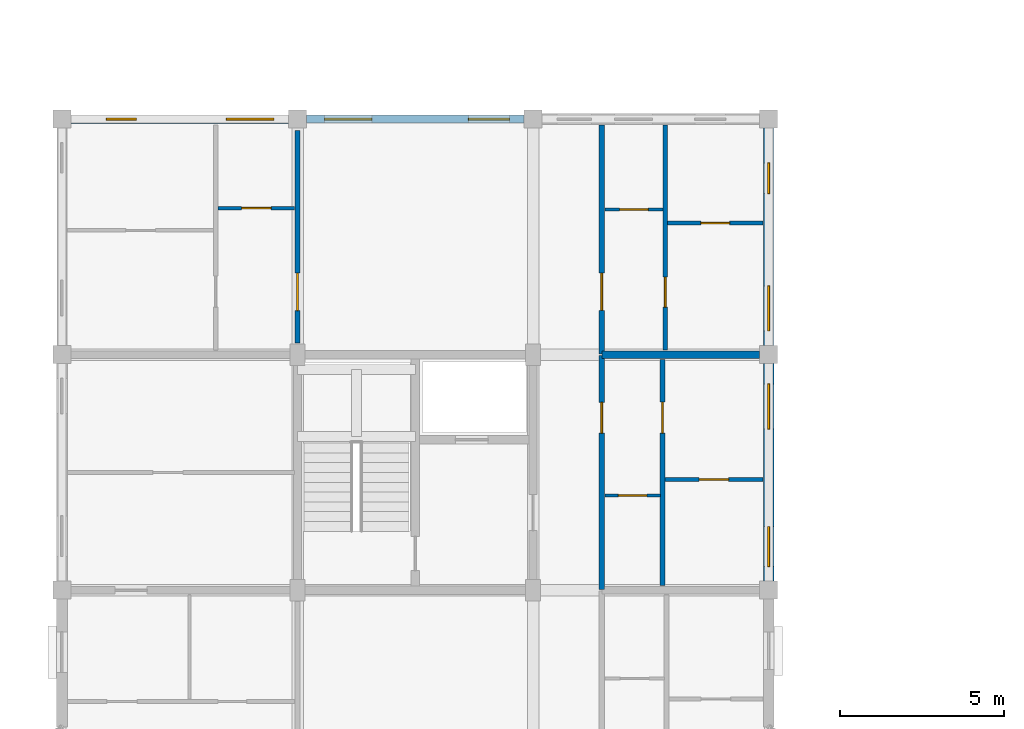
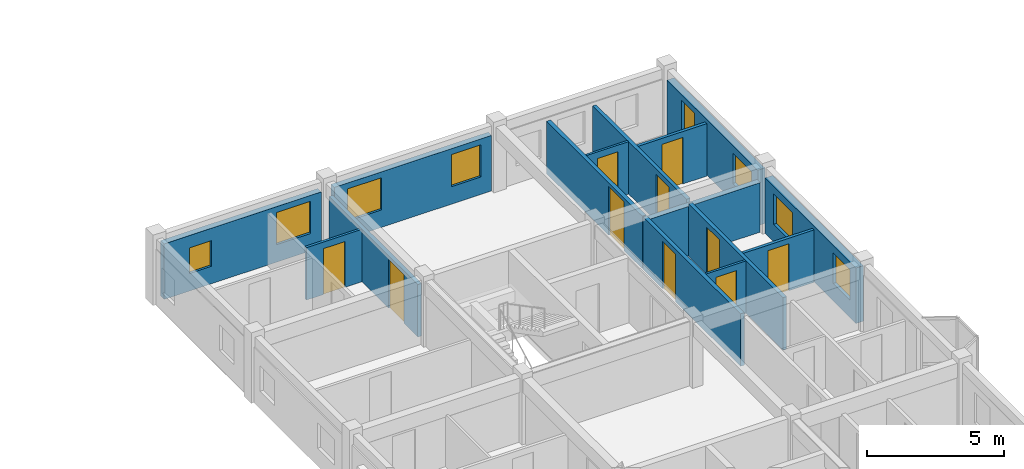
# One storey, part 58 of 77: 15 walls, 10 doors, 8 windows, 18 openings.
"""IFC4 building model written with IfcOpenShell, lengths in metres."""

from ifc_helpers import new_model, si_unit, direction, frame, frame_2d, origin, place, context, subcontext, project, spatial, rectangle, extrude, material, layer, layer_set, type_object, element, fill, save


model = new_model("IFC4")

# Units and contexts
model_context = context("Model", 3, precision=1e-05, world=origin(), true_north=direction((0.0, 1.0)))
body_context = subcontext(model_context, "Body", "Model", "MODEL_VIEW")
ifc_project = project(units=[si_unit("LENGTHUNIT", "METRE"), si_unit("AREAUNIT", "SQUARE_METRE"), si_unit("VOLUMEUNIT", "CUBIC_METRE"), si_unit("PLANEANGLEUNIT", "RADIAN"), si_unit("MASSUNIT", "GRAM", prefix="KILO"), si_unit("THERMODYNAMICTEMPERATUREUNIT", "KELVIN"), si_unit("POWERUNIT", "WATT")], contexts=[model_context])

# Site, building, storey
site_placement = place(None, origin())
site = spatial("IfcSite", under=ifc_project, at=site_placement, CompositionType="ELEMENT")
building_placement = place(site_placement, origin())
building = spatial("IfcBuilding", under=site, at=building_placement, Name="Tavuni Mirador Residences", CompositionType="ELEMENT")
storey_placement = place(building_placement, frame((0.0, 0.0, 17.10009765625)))
storey = spatial("IfcBuildingStorey", under=building, at=storey_placement, Name="L05", CompositionType="ELEMENT", Elevation=17.10009765625)

# Wall, opening, door
ifc_material_1 = material(Name="Precast concrete C40/50", Category="concrete")
ifc_layer_1 = layer(ifc_material_1, 0.1650390625, Name="Precast concrete C40/50", Category="concrete")
ifc_layer_set_1 = layer_set([ifc_layer_1], Name="Precast concrete C40/50")
wall_type_1 = type_object("IfcWallType", Name="WT-CORR165", PredefinedType="PARTITIONING", material=ifc_layer_set_1)
wall_1_placement = place(storey_placement, frame((20.10009765625, 86.419921875, 0.0), z_axis=(0.0, 0.0, 1.0), x_axis=(0.0, 1.0, 0.0)))
wall_1 = element("IfcWall", 1, at=wall_1_placement, inside=storey, type_object=wall_type_1, Name="CORW-BLK-B-L05-0-03", PredefinedType="PARTITIONING", context=body_context, shape_type="SweptSolid", body=[
    extrude(rectangle(XDim=7.16015625, YDim=0.1650390625, at=frame_2d((3.580078125, 0.0))), origin(), (0.0, 0.0, 1.0), 2.344970703125),
])
opening_1_placement = place(wall_1_placement, frame((4.780029296875, 0.0, 0.0)))
opening_1 = element("IfcOpeningElement", 2, at=opening_1_placement, cuts=wall_1, Name="Opening D-19", PredefinedType="OPENING", context=body_context, shape_type="SweptSolid", body=[
    extrude(rectangle(XDim=0.93994140625, YDim=2.1201171875, at=frame_2d((0.469970703125, 1.06005859375))), frame((0.0, 0.092529296875, 0.0), z_axis=(0.0, -1.0, 0.0), x_axis=(1.0, 0.0, 0.0)), (0.0, 0.0, 1.0), 0.18505859375),
])
ifc_material_2 = material(Name="Solid core iroko timber", Category="wood")
door_type_1 = type_object("IfcDoorType", Name="DT-FD60-940", OperationType="NOTDEFINED", PredefinedType="DOOR", material=ifc_material_2)
door_1_placement = place(opening_1_placement, origin())
door_1 = element("IfcDoor", 3, at=door_1_placement, inside=storey, type_object=door_type_1, Name="DR-2572", OperationType="SINGLE_SWING_LEFT", OverallHeight=2.1201171875, OverallWidth=0.93994140625, PredefinedType="DOOR", context=body_context, shape_type="SweptSolid", body=[
    extrude(rectangle(XDim=0.93994140625, YDim=2.1201171875, at=frame_2d((0.469970703125, 1.06005859375))), frame((0.0, 0.02490234375, 0.0), z_axis=(0.0, -1.0, 0.0), x_axis=(1.0, 0.0, 0.0)), (0.0, 0.0, 1.0), 0.050048828125),
])
fill(opening_1, door_1)

wall_2_placement = place(storey_placement, frame((20.10009765625, 93.6201171875, 0.0), z_axis=(0.0, 0.0, 1.0), x_axis=(0.0, 1.0, 0.0)))
wall_2 = element("IfcWall", 4, at=wall_2_placement, inside=storey, type_object=wall_type_1, Name="CORW-BLK-B-L05-0-04", PredefinedType="PARTITIONING", context=body_context, shape_type="SweptSolid", body=[
    extrude(rectangle(XDim=7.0048828125, YDim=0.1650390625, at=frame_2d((3.50244140625, 0.0))), origin(), (0.0, 0.0, 1.0), 2.344970703125),
])
opening_2_placement = place(wall_2_placement, frame((1.330078125, 0.0, 0.0)))
opening_2 = element("IfcOpeningElement", 5, at=opening_2_placement, cuts=wall_2, Name="Opening D-20", PredefinedType="OPENING", context=body_context, shape_type="SweptSolid", body=[
    extrude(rectangle(XDim=1.139892578125, YDim=2.179931640625, at=frame_2d((0.56982421875, 1.08984375))), frame((0.0, 0.092529296875, 0.0), z_axis=(0.0, -1.0, 0.0), x_axis=(1.0, 0.0, 0.0)), (0.0, 0.0, 1.0), 0.18505859375),
])
door_type_2 = type_object("IfcDoorType", Name="DT-FD60-1140", OperationType="NOTDEFINED", PredefinedType="DOOR", material=ifc_material_2)
door_2_placement = place(opening_2_placement, origin())
door_2 = element("IfcDoor", 6, at=door_2_placement, inside=storey, type_object=door_type_2, Name="DR-2573", OperationType="SINGLE_SWING_RIGHT", OverallHeight=2.179931640625, OverallWidth=1.139892578125, PredefinedType="DOOR", context=body_context, shape_type="SweptSolid", body=[
    extrude(rectangle(XDim=1.139892578125, YDim=2.179931640625, at=frame_2d((0.56982421875, 1.08984375))), frame((0.0, 0.02490234375, 0.0), z_axis=(0.0, -1.0, 0.0), x_axis=(1.0, 0.0, 0.0)), (0.0, 0.0, 1.0), 0.050048828125),
])
fill(opening_2, door_2)

wall_3_placement = place(storey_placement, frame((10.800048828125, 93.949951171875, 0.0), z_axis=(0.0, 0.0, 1.0), x_axis=(0.0, 1.0, 0.0)))
wall_3 = element("IfcWall", 7, at=wall_3_placement, inside=storey, type_object=wall_type_1, Name="CORW-BLK-B-L05-1-04", PredefinedType="PARTITIONING", context=body_context, shape_type="SweptSolid", body=[
    extrude(rectangle(XDim=6.5, YDim=0.1650390625, at=frame_2d((3.25, 0.0))), origin(), (0.0, 0.0, 1.0), 2.344970703125),
])
opening_3_placement = place(wall_3_placement, frame((1.0, 0.0, 0.0)))
opening_3 = element("IfcOpeningElement", 8, at=opening_3_placement, cuts=wall_3, Name="Opening D-20", PredefinedType="OPENING", context=body_context, shape_type="SweptSolid", body=[
    extrude(rectangle(XDim=1.139892578125, YDim=2.179931640625, at=frame_2d((0.56982421875, 1.08984375))), frame((0.0, 0.092529296875, 0.0), z_axis=(0.0, -1.0, 0.0), x_axis=(1.0, 0.0, 0.0)), (0.0, 0.0, 1.0), 0.18505859375),
])
door_3_placement = place(opening_3_placement, origin())
door_3 = element("IfcDoor", 9, at=door_3_placement, inside=storey, type_object=door_type_2, Name="DR-2576", OperationType="SINGLE_SWING_LEFT", OverallHeight=2.179931640625, OverallWidth=1.139892578125, PredefinedType="DOOR", context=body_context, shape_type="SweptSolid", body=[
    extrude(rectangle(XDim=1.139892578125, YDim=2.179931640625, at=frame_2d((0.56982421875, 1.08984375))), frame((0.0, 0.02490234375, 0.0), z_axis=(0.0, -1.0, 0.0), x_axis=(1.0, 0.0, 0.0)), (0.0, 0.0, 1.0), 0.050048828125),
])
fill(opening_3, door_3)

# Wall, openings, windows
ifc_material_3 = material(Name="Sgraffito lime-rendered precast concrete C40/50", Category="concrete")
ifc_layer_2 = layer(ifc_material_3, 0.2451171875, Name="Sgraffito lime-rendered precast concrete C40/50", Category="concrete")
ifc_layer_set_2 = layer_set([ifc_layer_2], Name="Sgraffito lime-rendered precast concrete C40/50")
wall_type_2 = type_object("IfcWallType", Name="WT-EXT-PC245", PredefinedType="SOLIDWALL", material=ifc_layer_set_2)
wall_4_placement = place(storey_placement, frame((17.72509765625, 100.800048828125, 0.0), z_axis=(0.0, 0.0, 1.0), x_axis=(-1.0, 0.0, 0.0)))
wall_4 = element("IfcWall", 10, at=wall_4_placement, inside=storey, type_object=wall_type_2, Name="EW-BLK-B-L05-N01", PredefinedType="SOLIDWALL", context=body_context, shape_type="SweptSolid", body=[
    extrude(rectangle(XDim=6.650146484375, YDim=0.2451171875, at=frame_2d((3.3251953125, 0.0))), origin(), (0.0, 0.0, 1.0), 2.47998046875),
])
opening_4_placement = place(wall_4_placement, frame((0.449951171875, 0.0, 0.780029296875)))
opening_4 = element("IfcOpeningElement", 11, at=opening_4_placement, cuts=wall_4, Name="Opening WN-28", PredefinedType="OPENING", context=body_context, shape_type="SweptSolid", body=[
    extrude(rectangle(XDim=1.25, YDim=1.43994140625, at=frame_2d((0.625, 0.719970703125))), frame((0.0, 0.132568359375, 0.0), z_axis=(0.0, -1.0, 0.0), x_axis=(1.0, 0.0, 0.0)), (0.0, 0.0, 1.0), 0.26513671875),
])
opening_5_placement = place(wall_4_placement, frame((4.64990234375, 0.0, 0.780029296875)))
opening_5 = element("IfcOpeningElement", 12, at=opening_5_placement, cuts=wall_4, Name="Opening WN-30", PredefinedType="OPENING", context=body_context, shape_type="SweptSolid", body=[
    extrude(rectangle(XDim=1.449951171875, YDim=1.43994140625, at=frame_2d((0.72509765625, 0.719970703125))), frame((0.0, 0.132568359375, 0.0), z_axis=(0.0, -1.0, 0.0), x_axis=(1.0, 0.0, 0.0)), (0.0, 0.0, 1.0), 0.26513671875),
])
ifc_material_4 = material(Name="Laminated solar-control glass", Category="glass")
window_type_1 = type_object("IfcWindowType", Name="WNT-28", PartitioningType="SINGLE_PANEL", PredefinedType="WINDOW", material=ifc_material_4)
window_1_placement = place(opening_4_placement, origin())
window_1 = element("IfcWindow", 13, at=window_1_placement, inside=storey, type_object=window_type_1, Name="WIN-0712", OverallHeight=1.43994140625, OverallWidth=1.25, PartitioningType="SINGLE_PANEL", PredefinedType="WINDOW", context=body_context, shape_type="SweptSolid", body=[
    extrude(rectangle(XDim=1.25, YDim=1.43994140625, at=frame_2d((0.625, 0.719970703125))), frame((0.0, 0.030029296875, 0.0), z_axis=(0.0, -1.0, 0.0), x_axis=(1.0, 0.0, 0.0)), (0.0, 0.0, 1.0), 0.06005859375),
])
fill(opening_4, window_1)
window_type_2 = type_object("IfcWindowType", Name="WNT-30", PartitioningType="SINGLE_PANEL", PredefinedType="WINDOW", material=ifc_material_4)
window_2_placement = place(opening_5_placement, origin())
window_2 = element("IfcWindow", 14, at=window_2_placement, inside=storey, type_object=window_type_2, Name="WIN-0713", OverallHeight=1.43994140625, OverallWidth=1.449951171875, PartitioningType="SINGLE_PANEL", PredefinedType="WINDOW", context=body_context, shape_type="SweptSolid", body=[
    extrude(rectangle(XDim=1.449951171875, YDim=1.43994140625, at=frame_2d((0.72509765625, 0.719970703125))), frame((0.0, 0.030029296875, 0.0), z_axis=(0.0, -1.0, 0.0), x_axis=(1.0, 0.0, 0.0)), (0.0, 0.0, 1.0), 0.06005859375),
])
fill(opening_5, window_2)

ifc_layer_3 = layer(ifc_material_3, 0.2548828125, Name="Sgraffito lime-rendered precast concrete C40/50", Category="concrete")
ifc_layer_set_3 = layer_set([ifc_layer_3], Name="Sgraffito lime-rendered precast concrete C40/50")
wall_type_3 = type_object("IfcWallType", Name="WT-EXT-PC255", PredefinedType="SOLIDWALL", material=ifc_layer_set_3)
wall_5_placement = place(storey_placement, frame((10.52490234375, 100.800048828125, 0.0), z_axis=(0.0, 0.0, 1.0), x_axis=(-1.0, 0.0, 0.0)))
wall_5 = element("IfcWall", 15, at=wall_5_placement, inside=storey, type_object=wall_type_3, Name="EW-BLK-B-L05-N00", PredefinedType="SOLIDWALL", context=body_context, shape_type="SweptSolid", body=[
    extrude(rectangle(XDim=6.64990234375, YDim=0.2548828125, at=frame_2d((3.324951171875, 0.0))), origin(), (0.0, 0.0, 1.0), 2.47998046875),
])
opening_6_placement = place(wall_5_placement, frame((0.449951171875, 0.0, 0.780029296875)))
opening_6 = element("IfcOpeningElement", 16, at=opening_6_placement, cuts=wall_5, Name="Opening WN-30", PredefinedType="OPENING", context=body_context, shape_type="SweptSolid", body=[
    extrude(rectangle(XDim=1.449951171875, YDim=1.43994140625, at=frame_2d((0.72509765625, 0.719970703125))), frame((0.0, 0.137451171875, 0.0), z_axis=(0.0, -1.0, 0.0), x_axis=(1.0, 0.0, 0.0)), (0.0, 0.0, 1.0), 0.27490234375),
])
opening_7_placement = place(wall_5_placement, frame((4.64990234375, 0.0, 0.780029296875)))
opening_7 = element("IfcOpeningElement", 17, at=opening_7_placement, cuts=wall_5, Name="Opening WN-02", PredefinedType="OPENING", context=body_context, shape_type="SweptSolid", body=[
    extrude(rectangle(XDim=0.919921875, YDim=1.14990234375, at=frame_2d((0.4599609375, 0.574951171875))), frame((0.0, 0.137451171875, 0.0), z_axis=(0.0, -1.0, 0.0), x_axis=(1.0, 0.0, 0.0)), (0.0, 0.0, 1.0), 0.27490234375),
])
window_type_3 = type_object("IfcWindowType", Name="WNT-02", PartitioningType="SINGLE_PANEL", PredefinedType="WINDOW", material=ifc_material_4)
window_3_placement = place(opening_7_placement, origin())
window_3 = element("IfcWindow", 18, at=window_3_placement, inside=storey, type_object=window_type_3, Name="WIN-0715", OverallHeight=1.14990234375, OverallWidth=0.919921875, PartitioningType="SINGLE_PANEL", PredefinedType="WINDOW", context=body_context, shape_type="SweptSolid", body=[
    extrude(rectangle(XDim=0.919921875, YDim=1.14990234375, at=frame_2d((0.4599609375, 0.574951171875))), frame((0.0, 0.030029296875, 0.0), z_axis=(0.0, -1.0, 0.0), x_axis=(1.0, 0.0, 0.0)), (0.0, 0.0, 1.0), 0.06005859375),
])
fill(opening_7, window_3)
window_4_placement = place(opening_6_placement, origin())
window_4 = element("IfcWindow", 19, at=window_4_placement, inside=storey, type_object=window_type_2, Name="WIN-0714", OverallHeight=1.43994140625, OverallWidth=1.449951171875, PartitioningType="SINGLE_PANEL", PredefinedType="WINDOW", context=body_context, shape_type="SweptSolid", body=[
    extrude(rectangle(XDim=1.449951171875, YDim=1.43994140625, at=frame_2d((0.72509765625, 0.719970703125))), frame((0.0, 0.030029296875, 0.0), z_axis=(0.0, -1.0, 0.0), x_axis=(1.0, 0.0, 0.0)), (0.0, 0.0, 1.0), 0.06005859375),
])
fill(opening_6, window_4)

ifc_layer_4 = layer(ifc_material_3, 0.304931640625, Name="Sgraffito lime-rendered precast concrete C40/50", Category="concrete")
ifc_layer_set_4 = layer_set([ifc_layer_4], Name="Sgraffito lime-rendered precast concrete C40/50")
wall_type_4 = type_object("IfcWallType", Name="WT-EXT-PC305", PredefinedType="SOLIDWALL", material=ifc_layer_set_4)
wall_6_placement = place(storey_placement, frame((25.199951171875, 93.875, 0.0), z_axis=(0.0, 0.0, 1.0), x_axis=(0.0, 1.0, 0.0)))
wall_6 = element("IfcWall", 20, at=wall_6_placement, inside=storey, type_object=wall_type_4, Name="EW-BLK-B-L05-E04", PredefinedType="SOLIDWALL", context=body_context, shape_type="SweptSolid", body=[
    extrude(rectangle(XDim=6.64990234375, YDim=0.304931640625, at=frame_2d((3.324951171875, 0.0))), origin(), (0.0, 0.0, 1.0), 2.47998046875),
])
opening_8_placement = place(wall_6_placement, frame((0.449951171875, 0.0, 0.780029296875)))
opening_8 = element("IfcOpeningElement", 21, at=opening_8_placement, cuts=wall_6, Name="Opening WN-23", PredefinedType="OPENING", context=body_context, shape_type="SweptSolid", body=[
    extrude(rectangle(XDim=1.3798828125, YDim=1.360107421875, at=frame_2d((0.68994140625, 0.68017578125))), frame((0.0, 0.16259765625, 0.0), z_axis=(0.0, -1.0, 0.0), x_axis=(1.0, 0.0, 0.0)), (0.0, 0.0, 1.0), 0.324951171875),
])
opening_9_placement = place(wall_6_placement, frame((4.64990234375, 0.0, 0.780029296875)))
opening_9 = element("IfcOpeningElement", 22, at=opening_9_placement, cuts=wall_6, Name="Opening WN-25", PredefinedType="OPENING", context=body_context, shape_type="SweptSolid", body=[
    extrude(rectangle(XDim=0.93994140625, YDim=1.43994140625, at=frame_2d((0.469970703125, 0.719970703125))), frame((0.0, 0.16259765625, 0.0), z_axis=(0.0, -1.0, 0.0), x_axis=(1.0, 0.0, 0.0)), (0.0, 0.0, 1.0), 0.324951171875),
])
window_type_4 = type_object("IfcWindowType", Name="WNT-23", PartitioningType="SINGLE_PANEL", PredefinedType="WINDOW", material=ifc_material_4)
window_5_placement = place(opening_8_placement, origin())
window_5 = element("IfcWindow", 23, at=window_5_placement, inside=storey, type_object=window_type_4, Name="WIN-0707", OverallHeight=1.360107421875, OverallWidth=1.3798828125, PartitioningType="SINGLE_PANEL", PredefinedType="WINDOW", context=body_context, shape_type="SweptSolid", body=[
    extrude(rectangle(XDim=1.3798828125, YDim=1.360107421875, at=frame_2d((0.68994140625, 0.68017578125))), frame((0.0, 0.030029296875, 0.0), z_axis=(0.0, -1.0, 0.0), x_axis=(1.0, 0.0, 0.0)), (0.0, 0.0, 1.0), 0.06005859375),
])
fill(opening_8, window_5)
window_type_5 = type_object("IfcWindowType", Name="WNT-25", PartitioningType="SINGLE_PANEL", PredefinedType="WINDOW", material=ifc_material_4)
window_6_placement = place(opening_9_placement, origin())
window_6 = element("IfcWindow", 24, at=window_6_placement, inside=storey, type_object=window_type_5, Name="WIN-0708", OverallHeight=1.43994140625, OverallWidth=0.93994140625, PartitioningType="SINGLE_PANEL", PredefinedType="WINDOW", context=body_context, shape_type="SweptSolid", body=[
    extrude(rectangle(XDim=0.93994140625, YDim=1.43994140625, at=frame_2d((0.469970703125, 0.719970703125))), frame((0.0, 0.030029296875, 0.0), z_axis=(0.0, -1.0, 0.0), x_axis=(1.0, 0.0, 0.0)), (0.0, 0.0, 1.0), 0.06005859375),
])
fill(opening_9, window_6)

ifc_layer_5 = layer(ifc_material_3, 0.31494140625, Name="Sgraffito lime-rendered precast concrete C40/50", Category="concrete")
ifc_layer_set_5 = layer_set([ifc_layer_5], Name="Sgraffito lime-rendered precast concrete C40/50")
wall_type_5 = type_object("IfcWallType", Name="WT-EXT-PC315", PredefinedType="SOLIDWALL", material=ifc_layer_set_5)
wall_7_placement = place(storey_placement, frame((25.199951171875, 86.675048828125, 0.0), z_axis=(0.0, 0.0, 1.0), x_axis=(0.0, 1.0, 0.0)))
wall_7 = element("IfcWall", 25, at=wall_7_placement, inside=storey, type_object=wall_type_5, Name="EW-BLK-B-L05-E03", PredefinedType="SOLIDWALL", context=body_context, shape_type="SweptSolid", body=[
    extrude(rectangle(XDim=6.64990234375, YDim=0.31494140625, at=frame_2d((3.324951171875, 0.0))), origin(), (0.0, 0.0, 1.0), 2.47998046875),
])
opening_10_placement = place(wall_7_placement, frame((0.449951171875, 0.0, 0.780029296875)))
opening_10 = element("IfcOpeningElement", 26, at=opening_10_placement, cuts=wall_7, Name="Opening WN-21", PredefinedType="OPENING", context=body_context, shape_type="SweptSolid", body=[
    extrude(rectangle(XDim=1.219970703125, YDim=1.360107421875, at=frame_2d((0.60986328125, 0.68017578125))), frame((0.0, 0.16748046875, 0.0), z_axis=(0.0, -1.0, 0.0), x_axis=(1.0, 0.0, 0.0)), (0.0, 0.0, 1.0), 0.3349609375),
])
opening_11_placement = place(wall_7_placement, frame((4.64990234375, 0.0, 0.780029296875)))
opening_11 = element("IfcOpeningElement", 27, at=opening_11_placement, cuts=wall_7, Name="Opening WN-23", PredefinedType="OPENING", context=body_context, shape_type="SweptSolid", body=[
    extrude(rectangle(XDim=1.3798828125, YDim=1.360107421875, at=frame_2d((0.68994140625, 0.68017578125))), frame((0.0, 0.16748046875, 0.0), z_axis=(0.0, -1.0, 0.0), x_axis=(1.0, 0.0, 0.0)), (0.0, 0.0, 1.0), 0.3349609375),
])
window_type_6 = type_object("IfcWindowType", Name="WNT-21", PartitioningType="SINGLE_PANEL", PredefinedType="WINDOW", material=ifc_material_4)
window_7_placement = place(opening_10_placement, origin())
window_7 = element("IfcWindow", 28, at=window_7_placement, inside=storey, type_object=window_type_6, Name="WIN-0705", OverallHeight=1.360107421875, OverallWidth=1.219970703125, PartitioningType="SINGLE_PANEL", PredefinedType="WINDOW", context=body_context, shape_type="SweptSolid", body=[
    extrude(rectangle(XDim=1.219970703125, YDim=1.360107421875, at=frame_2d((0.60986328125, 0.68017578125))), frame((0.0, 0.030029296875, 0.0), z_axis=(0.0, -1.0, 0.0), x_axis=(1.0, 0.0, 0.0)), (0.0, 0.0, 1.0), 0.06005859375),
])
fill(opening_10, window_7)
window_8_placement = place(opening_11_placement, origin())
window_8 = element("IfcWindow", 29, at=window_8_placement, inside=storey, type_object=window_type_4, Name="WIN-0706", OverallHeight=1.360107421875, OverallWidth=1.3798828125, PartitioningType="SINGLE_PANEL", PredefinedType="WINDOW", context=body_context, shape_type="SweptSolid", body=[
    extrude(rectangle(XDim=1.3798828125, YDim=1.360107421875, at=frame_2d((0.68994140625, 0.68017578125))), frame((0.0, 0.030029296875, 0.0), z_axis=(0.0, -1.0, 0.0), x_axis=(1.0, 0.0, 0.0)), (0.0, 0.0, 1.0), 0.06005859375),
])
fill(opening_11, window_8)

# Wall, opening, door
ifc_material_5 = material(Name="Acoustic gypsum and concrete block partition", Category="concrete")
ifc_layer_6 = layer(ifc_material_5, 0.094970703125, Name="Acoustic gypsum and concrete block partition", Category="concrete")
ifc_layer_set_6 = layer_set([ifc_layer_6], Name="Acoustic gypsum and concrete block partition")
wall_type_6 = type_object("IfcWallType", Name="WT-PART095", PredefinedType="PARTITIONING", material=ifc_layer_set_6)
wall_8_placement = place(storey_placement, frame((20.18994140625, 89.300048828125, 0.0), z_axis=(0.0, 0.0, 1.0), x_axis=(1.0, 0.0, 0.0)))
wall_8 = element("IfcWall", 30, at=wall_8_placement, inside=storey, type_object=wall_type_6, Name="PW-BLK-B-L05-E03-IN1", PredefinedType="PARTITIONING", context=body_context, shape_type="SweptSolid", body=[
    extrude(rectangle(XDim=1.699951171875, YDim=0.094970703125, at=frame_2d((0.85009765625, 0.0))), origin(), (0.0, 0.0, 1.0), 2.344970703125),
])
opening_12_placement = place(wall_8_placement, frame((0.4150390625, 0.0, 0.0)))
opening_12 = element("IfcOpeningElement", 31, at=opening_12_placement, cuts=wall_8, Name="Opening D-10", PredefinedType="OPENING", context=body_context, shape_type="SweptSolid", body=[
    extrude(rectangle(XDim=0.8701171875, YDim=2.050048828125, at=frame_2d((0.43505859375, 1.02490234375))), frame((0.0, 0.0576171875, 0.0), z_axis=(0.0, -1.0, 0.0), x_axis=(1.0, 0.0, 0.0)), (0.0, 0.0, 1.0), 0.114990234375),
])
door_type_3 = type_object("IfcDoorType", Name="DT-WC870", OperationType="NOTDEFINED", PredefinedType="DOOR", material=ifc_material_2)
door_4_placement = place(opening_12_placement, origin())
door_4 = element("IfcDoor", 32, at=door_4_placement, inside=storey, type_object=door_type_3, Name="DR-3574", OperationType="SINGLE_SWING_RIGHT", OverallHeight=2.050048828125, OverallWidth=0.8701171875, PredefinedType="DOOR", context=body_context, shape_type="SweptSolid", body=[
    extrude(rectangle(XDim=0.8701171875, YDim=2.050048828125, at=frame_2d((0.43505859375, 1.02490234375))), frame((0.0, 0.02490234375, 0.0), z_axis=(0.0, -1.0, 0.0), x_axis=(1.0, 0.0, 0.0)), (0.0, 0.0, 1.0), 0.050048828125),
])
fill(opening_12, door_4)

wall_9_placement = place(storey_placement, frame((20.18994140625, 98.0400390625, 0.0), z_axis=(0.0, 0.0, 1.0), x_axis=(1.0, 0.0, 0.0)))
wall_9 = element("IfcWall", 33, at=wall_9_placement, inside=storey, type_object=wall_type_6, Name="PW-BLK-B-L05-E04-IN1", PredefinedType="PARTITIONING", context=body_context, shape_type="SweptSolid", body=[
    extrude(rectangle(XDim=1.780029296875, YDim=0.094970703125, at=frame_2d((0.89013671875, 0.0))), origin(), (0.0, 0.0, 1.0), 2.344970703125),
])
opening_13_placement = place(wall_9_placement, frame((0.455078125, 0.0, 0.0)))
opening_13 = element("IfcOpeningElement", 34, at=opening_13_placement, cuts=wall_9, Name="Opening D-10", PredefinedType="OPENING", context=body_context, shape_type="SweptSolid", body=[
    extrude(rectangle(XDim=0.8701171875, YDim=2.050048828125, at=frame_2d((0.43505859375, 1.02490234375))), frame((0.0, 0.0576171875, 0.0), z_axis=(0.0, -1.0, 0.0), x_axis=(1.0, 0.0, 0.0)), (0.0, 0.0, 1.0), 0.114990234375),
])
door_5_placement = place(opening_13_placement, origin())
door_5 = element("IfcDoor", 35, at=door_5_placement, inside=storey, type_object=door_type_3, Name="DR-3580", OperationType="SINGLE_SWING_LEFT", OverallHeight=2.050048828125, OverallWidth=0.8701171875, PredefinedType="DOOR", context=body_context, shape_type="SweptSolid", body=[
    extrude(rectangle(XDim=0.8701171875, YDim=2.050048828125, at=frame_2d((0.43505859375, 1.02490234375))), frame((0.0, 0.02490234375, 0.0), z_axis=(0.0, -1.0, 0.0), x_axis=(1.0, 0.0, 0.0)), (0.0, 0.0, 1.0), 0.050048828125),
])
fill(opening_13, door_5)

ifc_layer_7 = layer(ifc_material_5, 0.10498046875, Name="Acoustic gypsum and concrete block partition", Category="concrete")
ifc_layer_set_7 = layer_set([ifc_layer_7], Name="Acoustic gypsum and concrete block partition")
wall_type_7 = type_object("IfcWallType", Name="WT-PART105", PredefinedType="PARTITIONING", material=ifc_layer_set_7)
wall_10_placement = place(storey_placement, frame((8.3701171875, 98.080078125, 0.0), z_axis=(0.0, 0.0, 1.0), x_axis=(1.0, 0.0, 0.0)))
wall_10 = element("IfcWall", 36, at=wall_10_placement, inside=storey, type_object=wall_type_7, Name="PW-BLK-B-L05-W04-IN1", PredefinedType="PARTITIONING", context=body_context, shape_type="SweptSolid", body=[
    extrude(rectangle(XDim=2.33984375, YDim=0.10498046875, at=frame_2d((1.169921875, 0.0))), origin(), (0.0, 0.0, 1.0), 2.344970703125),
])
opening_14_placement = place(wall_10_placement, frame((0.719970703125, 0.0, 0.0)))
opening_14 = element("IfcOpeningElement", 37, at=opening_14_placement, cuts=wall_10, Name="Opening D-09", PredefinedType="OPENING", context=body_context, shape_type="SweptSolid", body=[
    extrude(rectangle(XDim=0.89990234375, YDim=2.050048828125, at=frame_2d((0.449951171875, 1.02490234375))), frame((0.0, 0.0625, 0.0), z_axis=(0.0, -1.0, 0.0), x_axis=(1.0, 0.0, 0.0)), (0.0, 0.0, 1.0), 0.125),
])
door_type_4 = type_object("IfcDoorType", Name="DT-WC900", OperationType="NOTDEFINED", PredefinedType="DOOR", material=ifc_material_2)
door_6_placement = place(opening_14_placement, origin())
door_6 = element("IfcDoor", 38, at=door_6_placement, inside=storey, type_object=door_type_4, Name="DR-3577", OperationType="SINGLE_SWING_RIGHT", OverallHeight=2.050048828125, OverallWidth=0.89990234375, PredefinedType="DOOR", context=body_context, shape_type="SweptSolid", body=[
    extrude(rectangle(XDim=0.89990234375, YDim=2.050048828125, at=frame_2d((0.449951171875, 1.02490234375))), frame((0.0, 0.02490234375, 0.0), z_axis=(0.0, -1.0, 0.0), x_axis=(1.0, 0.0, 0.0)), (0.0, 0.0, 1.0), 0.050048828125),
])
fill(opening_14, door_6)

ifc_layer_8 = layer(ifc_material_5, 0.125, Name="Acoustic gypsum and concrete block partition", Category="concrete")
ifc_layer_set_8 = layer_set([ifc_layer_8], Name="Acoustic gypsum and concrete block partition")
wall_type_8 = type_object("IfcWallType", Name="WT-PART125", PredefinedType="PARTITIONING", material=ifc_layer_set_8)
wall_11_placement = place(storey_placement, frame((22.030029296875, 89.780029296875, 0.0), z_axis=(0.0, 0.0, 1.0), x_axis=(1.0, 0.0, 0.0)))
wall_11 = element("IfcWall", 39, at=wall_11_placement, inside=storey, type_object=wall_type_8, Name="PW-BLK-B-L05-E03-OUT", PredefinedType="PARTITIONING", context=body_context, shape_type="SweptSolid", body=[
    extrude(rectangle(XDim=2.994873046875, YDim=0.125, at=frame_2d((1.49755859375, 0.0))), origin(), (0.0, 0.0, 1.0), 2.344970703125),
])
opening_15_placement = place(wall_11_placement, frame((1.047607421875, 0.0, 0.0)))
opening_15 = element("IfcOpeningElement", 40, at=opening_15_placement, cuts=wall_11, Name="Opening D-07", PredefinedType="OPENING", context=body_context, shape_type="SweptSolid", body=[
    extrude(rectangle(XDim=0.89990234375, YDim=2.10009765625, at=frame_2d((0.449951171875, 1.050048828125))), frame((0.0, 0.072509765625, 0.0), z_axis=(0.0, -1.0, 0.0), x_axis=(1.0, 0.0, 0.0)), (0.0, 0.0, 1.0), 0.14501953125),
])
door_type_5 = type_object("IfcDoorType", Name="DT-BED900", OperationType="NOTDEFINED", PredefinedType="DOOR", material=ifc_material_2)
door_7_placement = place(opening_15_placement, origin())
door_7 = element("IfcDoor", 41, at=door_7_placement, inside=storey, type_object=door_type_5, Name="DR-3573", OperationType="SINGLE_SWING_LEFT", OverallHeight=2.10009765625, OverallWidth=0.89990234375, PredefinedType="DOOR", context=body_context, shape_type="SweptSolid", body=[
    extrude(rectangle(XDim=0.89990234375, YDim=2.10009765625, at=frame_2d((0.449951171875, 1.050048828125))), frame((0.0, 0.02490234375, 0.0), z_axis=(0.0, -1.0, 0.0), x_axis=(1.0, 0.0, 0.0)), (0.0, 0.0, 1.0), 0.050048828125),
])
fill(opening_15, door_7)

wall_12_placement = place(storey_placement, frame((22.110107421875, 97.6201171875, 0.0), z_axis=(0.0, 0.0, 1.0), x_axis=(1.0, 0.0, 0.0)))
wall_12 = element("IfcWall", 42, at=wall_12_placement, inside=storey, type_object=wall_type_8, Name="PW-BLK-B-L05-E04-OUT", PredefinedType="PARTITIONING", context=body_context, shape_type="SweptSolid", body=[
    extrude(rectangle(XDim=2.914794921875, YDim=0.125, at=frame_2d((1.45751953125, 0.0))), origin(), (0.0, 0.0, 1.0), 2.344970703125),
])
opening_16_placement = place(wall_12_placement, frame((1.017578125, 0.0, 0.0)))
opening_16 = element("IfcOpeningElement", 43, at=opening_16_placement, cuts=wall_12, Name="Opening D-08", PredefinedType="OPENING", context=body_context, shape_type="SweptSolid", body=[
    extrude(rectangle(XDim=0.8798828125, YDim=2.080078125, at=frame_2d((0.43994140625, 1.0400390625))), frame((0.0, 0.072509765625, 0.0), z_axis=(0.0, -1.0, 0.0), x_axis=(1.0, 0.0, 0.0)), (0.0, 0.0, 1.0), 0.14501953125),
])
door_type_6 = type_object("IfcDoorType", Name="DT-BED880", OperationType="NOTDEFINED", PredefinedType="DOOR", material=ifc_material_2)
door_8_placement = place(opening_16_placement, origin())
door_8 = element("IfcDoor", 44, at=door_8_placement, inside=storey, type_object=door_type_6, Name="DR-3579", OperationType="SINGLE_SWING_RIGHT", OverallHeight=2.080078125, OverallWidth=0.8798828125, PredefinedType="DOOR", context=body_context, shape_type="SweptSolid", body=[
    extrude(rectangle(XDim=0.8798828125, YDim=2.080078125, at=frame_2d((0.43994140625, 1.0400390625))), frame((0.0, 0.02490234375, 0.0), z_axis=(0.0, -1.0, 0.0), x_axis=(1.0, 0.0, 0.0)), (0.0, 0.0, 1.0), 0.050048828125),
])
fill(opening_16, door_8)

ifc_layer_9 = layer(ifc_material_5, 0.14990234375, Name="Acoustic gypsum and concrete block partition", Category="concrete")
ifc_layer_set_9 = layer_set([ifc_layer_9], Name="Acoustic gypsum and concrete block partition")
wall_type_9 = type_object("IfcWallType", Name="WT-PART150", PredefinedType="PARTITIONING", material=ifc_layer_set_9)
wall_13_placement = place(storey_placement, frame((21.9599609375, 86.5400390625, 0.0), z_axis=(0.0, 0.0, 1.0), x_axis=(0.0, 1.0, 0.0)))
wall_13 = element("IfcWall", 45, at=wall_13_placement, inside=storey, type_object=wall_type_9, Name="PW-BLK-B-L05-E03-MID", PredefinedType="PARTITIONING", context=body_context, shape_type="SweptSolid", body=[
    extrude(rectangle(XDim=6.919921875, YDim=0.14990234375, at=frame_2d((3.4599609375, 0.0))), origin(), (0.0, 0.0, 1.0), 2.344970703125),
])
opening_17_placement = place(wall_13_placement, frame((4.659912109375, 0.0, 0.0)))
opening_17 = element("IfcOpeningElement", 46, at=opening_17_placement, cuts=wall_13, Name="Opening D-05", PredefinedType="OPENING", context=body_context, shape_type="SweptSolid", body=[
    extrude(rectangle(XDim=0.949951171875, YDim=2.10009765625, at=frame_2d((0.47509765625, 1.050048828125))), frame((0.0, 0.0849609375, 0.0), z_axis=(0.0, -1.0, 0.0), x_axis=(1.0, 0.0, 0.0)), (0.0, 0.0, 1.0), 0.169921875),
])
door_type_7 = type_object("IfcDoorType", Name="DT-INT950", OperationType="NOTDEFINED", PredefinedType="DOOR", material=ifc_material_2)
door_9_placement = place(opening_17_placement, origin())
door_9 = element("IfcDoor", 47, at=door_9_placement, inside=storey, type_object=door_type_7, Name="DR-3575", OperationType="SINGLE_SWING_LEFT", OverallHeight=2.10009765625, OverallWidth=0.949951171875, PredefinedType="DOOR", context=body_context, shape_type="SweptSolid", body=[
    extrude(rectangle(XDim=0.949951171875, YDim=2.10009765625, at=frame_2d((0.47509765625, 1.050048828125))), frame((0.0, 0.02490234375, 0.0), z_axis=(0.0, -1.0, 0.0), x_axis=(1.0, 0.0, 0.0)), (0.0, 0.0, 1.0), 0.050048828125),
])
fill(opening_17, door_9)

wall_14_placement = place(storey_placement, frame((22.0400390625, 93.739990234375, 0.0), z_axis=(0.0, 0.0, 1.0), x_axis=(0.0, 1.0, 0.0)))
wall_14 = element("IfcWall", 48, at=wall_14_placement, inside=storey, type_object=wall_type_9, Name="PW-BLK-B-L05-E04-MID", PredefinedType="PARTITIONING", context=body_context, shape_type="SweptSolid", body=[
    extrude(rectangle(XDim=6.885009765625, YDim=0.14990234375, at=frame_2d((3.4423828125, 0.0))), origin(), (0.0, 0.0, 1.0), 2.344970703125),
])
opening_18_placement = place(wall_14_placement, frame((1.31005859375, 0.0, 0.0)))
opening_18 = element("IfcOpeningElement", 49, at=opening_18_placement, cuts=wall_14, Name="Opening D-06", PredefinedType="OPENING", context=body_context, shape_type="SweptSolid", body=[
    extrude(rectangle(XDim=0.919921875, YDim=2.10009765625, at=frame_2d((0.4599609375, 1.050048828125))), frame((0.0, 0.0849609375, 0.0), z_axis=(0.0, -1.0, 0.0), x_axis=(1.0, 0.0, 0.0)), (0.0, 0.0, 1.0), 0.169921875),
])
door_type_8 = type_object("IfcDoorType", Name="DT-INT920", OperationType="NOTDEFINED", PredefinedType="DOOR", material=ifc_material_2)
door_10_placement = place(opening_18_placement, origin())
door_10 = element("IfcDoor", 50, at=door_10_placement, inside=storey, type_object=door_type_8, Name="DR-3581", OperationType="SINGLE_SWING_RIGHT", OverallHeight=2.10009765625, OverallWidth=0.919921875, PredefinedType="DOOR", context=body_context, shape_type="SweptSolid", body=[
    extrude(rectangle(XDim=0.919921875, YDim=2.10009765625, at=frame_2d((0.4599609375, 1.050048828125))), frame((0.0, 0.02490234375, 0.0), z_axis=(0.0, -1.0, 0.0), x_axis=(1.0, 0.0, 0.0)), (0.0, 0.0, 1.0), 0.050048828125),
])
fill(opening_18, door_10)

# Wall
ifc_layer_10 = layer(ifc_material_1, 0.235107421875, Name="Precast concrete C40/50", Category="concrete")
ifc_layer_set_10 = layer_set([ifc_layer_10], Name="Precast concrete C40/50")
wall_type_10 = type_object("IfcWallType", Name="WT-XW235", PredefinedType="SOLIDWALL", material=ifc_layer_set_10)
wall_15_placement = place(storey_placement, frame((20.10009765625, 93.60009765625, 0.0), z_axis=(0.0, 0.0, 1.0), x_axis=(1.0, 0.0, 0.0)))
element("IfcWall", 51, at=wall_15_placement, inside=storey, type_object=wall_type_10, Name="XW-BLK-B-L05-E-04", PredefinedType="SOLIDWALL", context=body_context, shape_type="SweptSolid", body=[
    extrude(rectangle(XDim=4.824951171875, YDim=0.235107421875, at=frame_2d((2.41259765625, 0.0))), origin(), (0.0, 0.0, 1.0), 2.2099609375),
])

save(model, "model.ifc")
